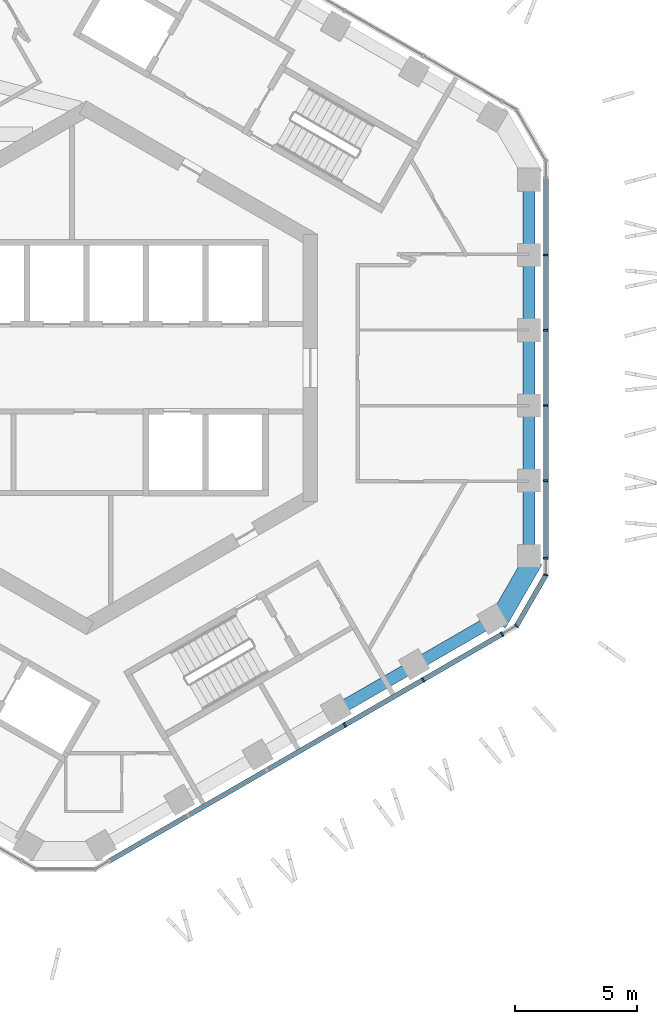
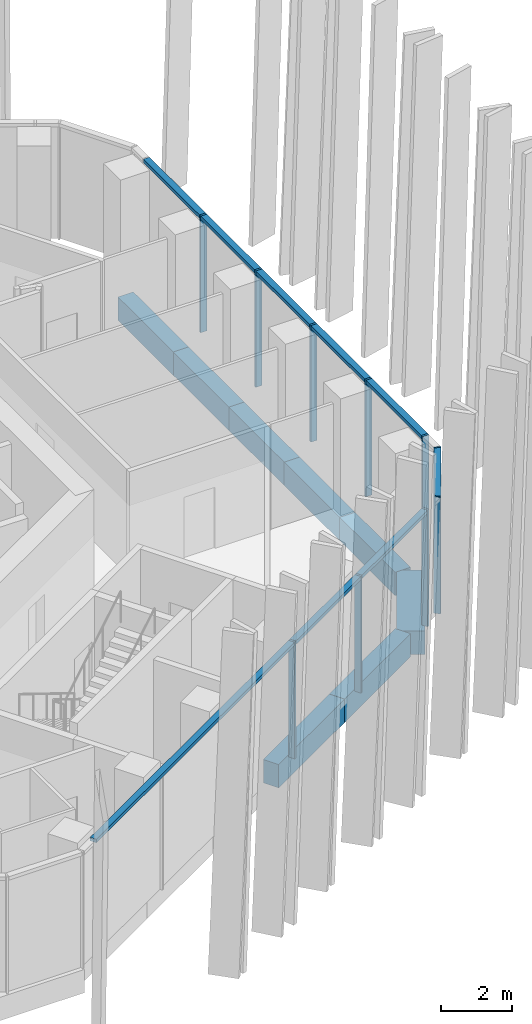
# One storey, part 7 of 28: 13 members, 8 beams, 3 elements without a shape of their own.
"""IFC4 building model written with IfcOpenShell, lengths in metres."""

from ifc_helpers import new_model, si_unit, direction, frame, origin, origin_2d, place, context, subcontext, project, spatial, rectangle, extrude, material, layer, layer_set, material_profile, profile_set, type_object, element, aggregate, save


model = new_model("IFC4")

# Units and contexts
model_context = context("Model", 3, precision=1e-05, world=origin(), true_north=direction((0.0, 1.0)))
body_context = subcontext(model_context, "Body", "Model", "MODEL_VIEW")
ifc_project = project(units=[si_unit("LENGTHUNIT", "METRE"), si_unit("AREAUNIT", "SQUARE_METRE"), si_unit("VOLUMEUNIT", "CUBIC_METRE"), si_unit("PLANEANGLEUNIT", "RADIAN"), si_unit("MASSUNIT", "GRAM", prefix="KILO")], contexts=[model_context])

# Site, building, storey
site_placement = place(None, origin())
site = spatial("IfcSite", under=ifc_project, at=site_placement, CompositionType="ELEMENT")
building_placement = place(site_placement, origin())
building = spatial("IfcBuilding", under=site, at=building_placement, Name="Ayvan Gate Tower", CompositionType="ELEMENT")
storey_placement = place(building_placement, frame((0.0, 0.0, 202.10009765625)))
storey = spatial("IfcBuildingStorey", under=building, at=storey_placement, Name="L54", CompositionType="ELEMENT", Elevation=202.10009765625)

# Beams
ifc_material_1 = material(Name="Concrete C40/50", Category="concrete")
ifc_material_profile_1 = material_profile(ifc_material_1, rectangle(XDim=0.800048828125, YDim=0.800048828125, at=origin_2d()), Name="RC 800x800")
ifc_profile_set_1 = profile_set([ifc_material_profile_1], Name="Concrete C40/50")
beam_type_1 = type_object("IfcBeamType", Name="Corner spandrel beam RC 800x800 C40/50", PredefinedType="BEAM", material=ifc_profile_set_1)
beam_1_placement = place(storey_placement, frame((16.876953125, -10.49658203125, -0.800048828125), z_axis=(0.499990139034, 0.866031096941, 0.0), x_axis=(-0.866031096941, 0.499990139034, 0.0)))
element("IfcBeam", 1, at=beam_1_placement, inside=storey, type_object=beam_type_1, Name="SB-L54-36", PredefinedType="BEAM", context=body_context, shape_type="SweptSolid", body=[
    extrude(rectangle(XDim=0.800048828125, YDim=0.800048828125, at=origin_2d()), origin(), (0.0, 0.0, 1.0), 3.0),
])
ifc_material_profile_2 = material_profile(ifc_material_1, rectangle(XDim=0.5, YDim=0.800048828125, at=origin_2d()), Name="RC 500x800")
ifc_profile_set_2 = profile_set([ifc_material_profile_2], Name="Concrete C40/50")
beam_type_2 = type_object("IfcBeamType", Name="Spandrel beam RC 500x800 C40/50", PredefinedType="BEAM", material=ifc_profile_set_2)
beam_2_placement = place(storey_placement, frame((18.1865234375, -7.788330078125, -0.800048828125), z_axis=(0.0, 1.0, 0.0), x_axis=(-1.0, 0.0, 0.0)))
element("IfcBeam", 2, at=beam_2_placement, inside=storey, type_object=beam_type_2, Name="SB-L54-1", PredefinedType="BEAM", context=body_context, shape_type="SweptSolid", body=[
    extrude(rectangle(XDim=0.5, YDim=0.800048828125, at=origin_2d()), origin(), (0.0, 0.0, 1.0), 3.115234375),
])
beam_3_placement = place(storey_placement, frame((18.1865234375, -4.673095703125, -0.800048828125), z_axis=(0.0, 1.0, 0.0), x_axis=(-1.0, 0.0, 0.0)))
element("IfcBeam", 3, at=beam_3_placement, inside=storey, type_object=beam_type_2, Name="SB-L54-2", PredefinedType="BEAM", context=body_context, shape_type="SweptSolid", body=[
    extrude(rectangle(XDim=0.5, YDim=0.800048828125, at=origin_2d()), origin(), (0.0, 0.0, 1.0), 3.115478515625),
])
beam_4_placement = place(storey_placement, frame((18.1865234375, -1.5576171875, -0.800048828125), z_axis=(0.0, 1.0, 0.0), x_axis=(-1.0, 0.0, 0.0)))
element("IfcBeam", 4, at=beam_4_placement, inside=storey, type_object=beam_type_2, Name="SB-L54-3", PredefinedType="BEAM", context=body_context, shape_type="SweptSolid", body=[
    extrude(rectangle(XDim=0.5, YDim=0.800048828125, at=origin_2d()), origin(), (0.0, 0.0, 1.0), 3.115234375),
])
beam_5_placement = place(storey_placement, frame((18.1865234375, 1.5576171875, -0.800048828125), z_axis=(0.0, 1.0, 0.0), x_axis=(-1.0, 0.0, 0.0)))
element("IfcBeam", 5, at=beam_5_placement, inside=storey, type_object=beam_type_2, Name="SB-L54-4", PredefinedType="BEAM", context=body_context, shape_type="SweptSolid", body=[
    extrude(rectangle(XDim=0.5, YDim=0.800048828125, at=origin_2d()), origin(), (0.0, 0.0, 1.0), 3.115478515625),
])
beam_6_placement = place(storey_placement, frame((18.1865234375, 4.673095703125, -0.800048828125), z_axis=(0.0, 1.0, 0.0), x_axis=(-1.0, 0.0, 0.0)))
element("IfcBeam", 6, at=beam_6_placement, inside=storey, type_object=beam_type_2, Name="SB-L54-5", PredefinedType="BEAM", context=body_context, shape_type="SweptSolid", body=[
    extrude(rectangle(XDim=0.5, YDim=0.800048828125, at=origin_2d()), origin(), (0.0, 0.0, 1.0), 3.115234375),
])
beam_7_placement = place(storey_placement, frame((10.272705078125, -14.089599609375, -0.800048828125), z_axis=(0.866011008513, 0.500024932513, 0.0), x_axis=(-0.500024932513, 0.866011008513, 0.0)))
element("IfcBeam", 7, at=beam_7_placement, inside=storey, type_object=beam_type_2, Name="SB-L54-34", PredefinedType="BEAM", context=body_context, shape_type="SweptSolid", body=[
    extrude(rectangle(XDim=0.5, YDim=0.800048828125, at=origin_2d()), origin(), (0.0, 0.0, 1.0), 3.702880859375),
])
beam_8_placement = place(storey_placement, frame((13.4794921875, -12.238037109375, -0.800048828125), z_axis=(0.866027491634, 0.499996383721, 0.0), x_axis=(-0.499996383721, 0.866027491634, 0.0)))
element("IfcBeam", 8, at=beam_8_placement, inside=storey, type_object=beam_type_2, Name="SB-L54-35", PredefinedType="BEAM", context=body_context, shape_type="SweptSolid", body=[
    extrude(rectangle(XDim=0.5, YDim=0.800048828125, at=origin_2d()), origin(), (0.0, 0.0, 1.0), 3.703125),
])

# Curtain wall, members
ifc_material_2 = material(Name="Bronze anodised aluminium", Category="aluminium")
ifc_layer_1 = layer(ifc_material_2, 0.199951171875)
ifc_layer_set_1 = layer_set([ifc_layer_1], Name="Bronze anodised aluminium")
curtain_wall_type_1 = type_object("IfcCurtainWallType", Name="Stick curtain wall CW-2", PredefinedType="NOTDEFINED", material=ifc_layer_set_1)
curtain_wall_1_placement = place(storey_placement, origin())
curtain_wall_1 = element("IfcCurtainWall", 9, at=curtain_wall_1_placement, inside=storey, type_object=curtain_wall_type_1, Name="Stick curtain wall CW-2 L54", PredefinedType="NOTDEFINED")
ifc_material_profile_3 = material_profile(ifc_material_2, rectangle(XDim=0.199951171875, YDim=0.070068359375, at=origin_2d()), Name="Stick curtain wall CW-2 mullion 200 x 70")
ifc_profile_set_3 = profile_set([ifc_material_profile_3], Name="Bronze anodised aluminium")
member_type_1 = type_object("IfcMemberType", Name="Stick curtain wall CW-2 mullion 200 x 70", PredefinedType="MULLION", material=ifc_profile_set_3)
member_1_placement = place(storey_placement, frame((10.620361328125, -14.680908203125, 0.0), z_axis=(0.0, 0.0, 1.0), x_axis=(0.5, -0.866025403784, 0.0)))
member_1 = element("IfcMember", 10, at=member_1_placement, type_object=member_type_1, Name="CW-2 mullion 4", PredefinedType="MULLION", context=body_context, shape_type="SweptSolid", body=[
    extrude(rectangle(XDim=0.199951171875, YDim=0.070068359375, at=origin_2d()), origin(), (0.0, 0.0, 1.0), 4.0),
])
member_2_placement = place(storey_placement, frame((13.837646484375, -12.823486328125, 0.0), z_axis=(0.0, 0.0, 1.0), x_axis=(0.5, -0.866025403784, 0.0)))
member_2 = element("IfcMember", 11, at=member_2_placement, type_object=member_type_1, Name="CW-2 mullion 5", PredefinedType="MULLION", context=body_context, shape_type="SweptSolid", body=[
    extrude(rectangle(XDim=0.199951171875, YDim=0.070068359375, at=origin_2d()), origin(), (0.0, 0.0, 1.0), 4.0),
])
member_3_placement = place(storey_placement, frame((17.0859375, -10.947998046875, 0.0), z_axis=(0.0, 0.0, 1.0), x_axis=(0.5, -0.866025403784, 0.0)))
member_3 = element("IfcMember", 12, at=member_3_placement, type_object=member_type_1, Name="CW-2 mullion 6", PredefinedType="MULLION", context=body_context, shape_type="SweptSolid", body=[
    extrude(rectangle(XDim=0.199951171875, YDim=0.070068359375, at=origin_2d()), origin(), (0.0, 0.0, 1.0), 4.0),
])

curtain_wall_2_placement = place(storey_placement, origin())
curtain_wall_2 = element("IfcCurtainWall", 13, at=curtain_wall_2_placement, inside=storey, type_object=curtain_wall_type_1, Name="Stick curtain wall CW-2 L54", PredefinedType="NOTDEFINED")
member_4_placement = place(storey_placement, frame((18.886474609375, -7.829345703125, 0.0), z_axis=(0.0, 0.0, 1.0), x_axis=(1.0, 0.0, 0.0)))
member_4 = element("IfcMember", 14, at=member_4_placement, type_object=member_type_1, Name="CW-2 mullion 1", PredefinedType="MULLION", context=body_context, shape_type="SweptSolid", body=[
    extrude(rectangle(XDim=0.199951171875, YDim=0.070068359375, at=origin_2d()), origin(), (0.0, 0.0, 1.0), 4.0),
])
member_5_placement = place(storey_placement, frame((18.886474609375, -4.639404296875, 0.0), z_axis=(0.0, 0.0, 1.0), x_axis=(1.0, 0.0, 0.0)))
member_5 = element("IfcMember", 15, at=member_5_placement, type_object=member_type_1, Name="CW-2 mullion 2", PredefinedType="MULLION", context=body_context, shape_type="SweptSolid", body=[
    extrude(rectangle(XDim=0.199951171875, YDim=0.070068359375, at=origin_2d()), origin(), (0.0, 0.0, 1.0), 4.0),
])
member_6_placement = place(storey_placement, frame((18.886474609375, -1.54638671875, 0.0), z_axis=(0.0, 0.0, 1.0), x_axis=(1.0, 0.0, 0.0)))
member_6 = element("IfcMember", 16, at=member_6_placement, type_object=member_type_1, Name="CW-2 mullion 3", PredefinedType="MULLION", context=body_context, shape_type="SweptSolid", body=[
    extrude(rectangle(XDim=0.199951171875, YDim=0.070068359375, at=origin_2d()), origin(), (0.0, 0.0, 1.0), 4.0),
])
member_7_placement = place(storey_placement, frame((18.886474609375, 1.546630859375, 0.0), z_axis=(0.0, 0.0, 1.0), x_axis=(1.0, 0.0, 0.0)))
member_7 = element("IfcMember", 17, at=member_7_placement, type_object=member_type_1, Name="CW-2 mullion 4", PredefinedType="MULLION", context=body_context, shape_type="SweptSolid", body=[
    extrude(rectangle(XDim=0.199951171875, YDim=0.070068359375, at=origin_2d()), origin(), (0.0, 0.0, 1.0), 4.0),
])
member_8_placement = place(storey_placement, frame((18.886474609375, 4.6396484375, 0.0), z_axis=(0.0, 0.0, 1.0), x_axis=(1.0, 0.0, 0.0)))
member_8 = element("IfcMember", 18, at=member_8_placement, type_object=member_type_1, Name="CW-2 mullion 5", PredefinedType="MULLION", context=body_context, shape_type="SweptSolid", body=[
    extrude(rectangle(XDim=0.199951171875, YDim=0.070068359375, at=origin_2d()), origin(), (0.0, 0.0, 1.0), 4.0),
])

# Member
ifc_material_profile_4 = material_profile(ifc_material_2, rectangle(XDim=0.199951171875, YDim=0.1201171875, at=origin_2d()), Name="Stick curtain wall CW-2 transom 200 x 120")
ifc_profile_set_4 = profile_set([ifc_material_profile_4], Name="Bronze anodised aluminium")
member_type_2 = type_object("IfcMemberType", Name="Stick curtain wall CW-2 transom 200 x 120", PredefinedType="USERDEFINED", material=ifc_profile_set_4)
member_9_placement = place(storey_placement, frame((0.938232421875, -20.27099609375, 3.93994140625), z_axis=(0.866022705876, 0.500004672885, 0.0), x_axis=(-0.500004672885, 0.866022705876, 0.0)))
member_9 = element("IfcMember", 19, at=member_9_placement, type_object=member_type_2, Name="CW-2 transom 1", ObjectType="TRANSOM", PredefinedType="USERDEFINED", context=body_context, shape_type="SweptSolid", body=[
    extrude(rectangle(XDim=0.199951171875, YDim=0.1201171875, at=origin_2d()), origin(), (0.0, 0.0, 1.0), 18.645751953125),
])

aggregate(curtain_wall_1, [member_1, member_2, member_3, member_9])

member_10_placement = place(storey_placement, frame((18.886474609375, -7.829345703125, 3.93994140625), z_axis=(0.0, 1.0, 0.0), x_axis=(-1.0, 0.0, 0.0)))
member_10 = element("IfcMember", 20, at=member_10_placement, type_object=member_type_2, Name="CW-2 transom 1", ObjectType="TRANSOM", PredefinedType="USERDEFINED", context=body_context, shape_type="SweptSolid", body=[
    extrude(rectangle(XDim=0.199951171875, YDim=0.1201171875, at=origin_2d()), origin(), (0.0, 0.0, 1.0), 15.65869140625),
])

aggregate(curtain_wall_2, [member_4, member_5, member_6, member_7, member_8, member_10])

# Curtain wall, members
ifc_layer_2 = layer(ifc_material_2, 0.199951171875)
ifc_layer_set_2 = layer_set([ifc_layer_2], Name="Bronze anodised aluminium")
curtain_wall_type_2 = type_object("IfcCurtainWallType", Name="Stick curtain wall CW-6", PredefinedType="NOTDEFINED", material=ifc_layer_set_2)
curtain_wall_3_placement = place(storey_placement, origin())
curtain_wall_3 = element("IfcCurtainWall", 21, at=curtain_wall_3_placement, inside=storey, type_object=curtain_wall_type_2, Name="Stick curtain wall CW-6 L54", PredefinedType="NOTDEFINED")
ifc_material_profile_5 = material_profile(ifc_material_2, rectangle(XDim=0.199951171875, YDim=0.050048828125, at=origin_2d()), Name="Stick curtain wall CW-6 mullion 200 x 50")
ifc_profile_set_5 = profile_set([ifc_material_profile_5], Name="Bronze anodised aluminium")
member_type_3 = type_object("IfcMemberType", Name="Stick curtain wall CW-6 mullion 200 x 50", PredefinedType="MULLION", material=ifc_profile_set_5)
member_11_placement = place(storey_placement, frame((17.67919921875, -10.60546875, 0.0), z_axis=(0.0, 0.0, 1.0), x_axis=(0.707106781187, -0.707106781187, 0.0)))
member_11 = element("IfcMember", 22, at=member_11_placement, type_object=member_type_3, Name="CW-6 mullion 2", PredefinedType="MULLION", context=body_context, shape_type="SweptSolid", body=[
    extrude(rectangle(XDim=0.199951171875, YDim=0.050048828125, at=origin_2d()), origin(), (0.0, 0.0, 1.0), 4.0),
])
member_12_placement = place(storey_placement, frame((18.886474609375, -8.514404296875, 0.0), z_axis=(0.0, 0.0, 1.0), x_axis=(0.965925826289, -0.258819045103, 0.0)))
member_12 = element("IfcMember", 23, at=member_12_placement, type_object=member_type_3, Name="CW-6 mullion 3", PredefinedType="MULLION", context=body_context, shape_type="SweptSolid", body=[
    extrude(rectangle(XDim=0.199951171875, YDim=0.050048828125, at=origin_2d()), origin(), (0.0, 0.0, 1.0), 4.0),
])
ifc_material_profile_6 = material_profile(ifc_material_2, rectangle(XDim=0.199951171875, YDim=0.1201171875, at=origin_2d()), Name="Stick curtain wall CW-6 transom 200 x 120")
ifc_profile_set_6 = profile_set([ifc_material_profile_6], Name="Bronze anodised aluminium")
member_type_4 = type_object("IfcMemberType", Name="Stick curtain wall CW-6 transom 200 x 120", PredefinedType="USERDEFINED", material=ifc_profile_set_6)
member_13_placement = place(storey_placement, frame((17.691650390625, -10.583740234375, 3.93994140625), z_axis=(0.500059108572, 0.865991274745, 0.0), x_axis=(-0.865991274745, 0.500059108572, 0.0)))
member_13 = element("IfcMember", 24, at=member_13_placement, type_object=member_type_4, Name="CW-6 transom 2", ObjectType="TRANSOM", PredefinedType="USERDEFINED", context=body_context, shape_type="SweptSolid", body=[
    extrude(rectangle(XDim=0.199951171875, YDim=0.1201171875, at=origin_2d()), origin(), (0.0, 0.0, 1.0), 2.364501953125),
])
aggregate(curtain_wall_3, [member_11, member_12, member_13])

save(model, "model.ifc")
